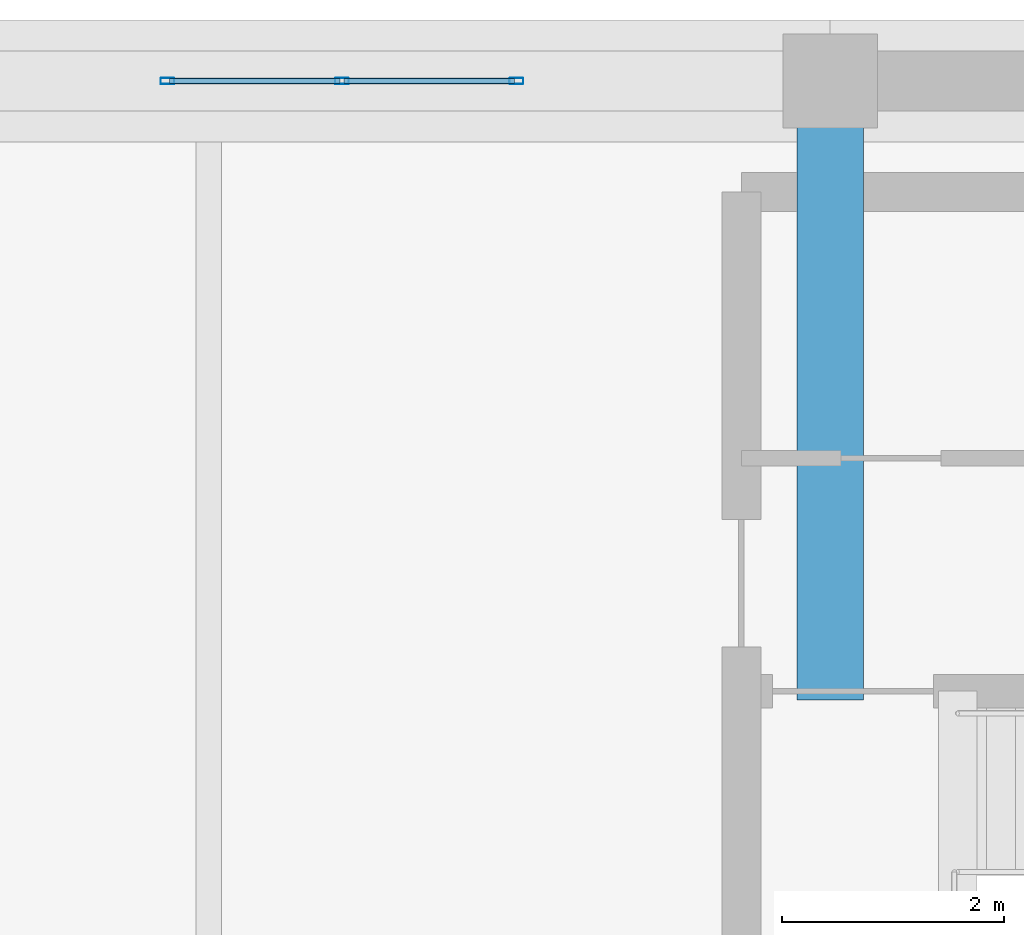
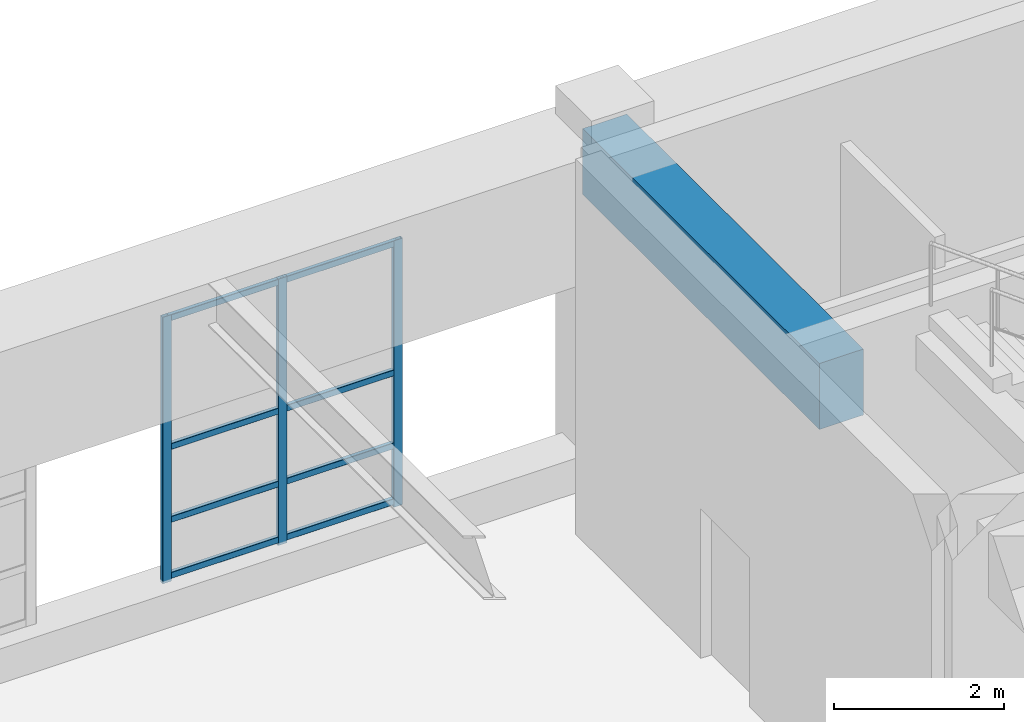
# One storey, part 145 of 197: 11 members, 1 beam, 1 element without a shape of its own.
"""IFC4 building model written with IfcOpenShell, lengths in metres."""

from ifc_helpers import new_model, si_unit, derived_unit, direction, frame, origin, origin_2d, place, context, subcontext, project, spatial, rectangle, hollow_rectangle, extrude, material, layer, layer_set, material_profile, profile_set, type_object, element, aggregate, save


model = new_model("IFC4")

# Units and contexts
model_context = context("Model", 3, precision=1e-05, world=origin(), true_north=direction((0.0, 1.0)))
body_context = subcontext(model_context, "Body", "Model", "MODEL_VIEW")
ifc_project = project(units=[si_unit("LENGTHUNIT", "METRE"), si_unit("AREAUNIT", "SQUARE_METRE"), si_unit("VOLUMEUNIT", "CUBIC_METRE"), si_unit("PLANEANGLEUNIT", "RADIAN"), si_unit("MASSUNIT", "GRAM", prefix="KILO"), derived_unit("THERMALTRANSMITTANCEUNIT", [(si_unit("POWERUNIT", "WATT"), 1), (si_unit("LENGTHUNIT", "METRE"), -2), (si_unit("THERMODYNAMICTEMPERATUREUNIT", "KELVIN"), -1)])], contexts=[model_context])

# Site, building, storey
site_placement = place(None, origin())
site = spatial("IfcSite", under=ifc_project, at=site_placement, CompositionType="ELEMENT")
building_placement = place(site_placement, origin())
building = spatial("IfcBuilding", under=site, at=building_placement, Name="Almenara Railside Exhibition Hall", CompositionType="ELEMENT")
storey_placement = place(building_placement, frame((0.0, 0.0, 5.39990234375)))
storey = spatial("IfcBuildingStorey", under=building, at=storey_placement, Name="L01", CompositionType="ELEMENT", Elevation=5.39990234375)

# Curtain wall, members
ifc_material_1 = material(Name="Bronze-anodised aluminium and low-E double glazing", Category="aluminium")
ifc_layer = layer(ifc_material_1, 0.179931640625, Name="Bronze-anodised aluminium and low-E double glazing")
ifc_layer_set = layer_set([ifc_layer], Name="Bronze-anodised aluminium and low-E double glazing")
curtain_wall_type = type_object("IfcCurtainWallType", Name="Scroll Gable Side Curtain Wall 3200x3800", PredefinedType="NOTDEFINED", material=ifc_layer_set)
curtain_wall_placement = place(storey_placement, origin())
curtain_wall = element("IfcCurtainWall", 1, at=curtain_wall_placement, inside=storey, type_object=curtain_wall_type, Name="Curtain wall CW-G4-043", PredefinedType="NOTDEFINED")
ifc_material_2 = material(Name="Bronze-anodised aluminium", Category="aluminium")
ifc_material_profile_1 = material_profile(ifc_material_2, hollow_rectangle(XDim=0.054931640625, YDim=0.125, WallThickness=0.0029296875, InnerFilletRadius=0.0029296875, OuterFilletRadius=0.006103515625, at=origin_2d()), Name="ALU-MUL 55x125x3")
ifc_profile_set_1 = profile_set([ifc_material_profile_1], Name="Bronze-anodised aluminium")
member_type_1 = type_object("IfcMemberType", Name="Curtain Wall Mullion 55x125x3", PredefinedType="MULLION", material=ifc_profile_set_1)
member_1_placement = place(storey_placement, frame((49.62744140625, 132.0, 0.465087890625), z_axis=(0.0, 0.0, 1.0), x_axis=(0.0, 1.0, 0.0)))
member_1 = element("IfcMember", 2, at=member_1_placement, type_object=member_type_1, Name="CW-G4-043 mullion 1", PredefinedType="MULLION", context=body_context, shape_type="SweptSolid", body=[
    extrude(hollow_rectangle(XDim=0.054931640625, YDim=0.125, WallThickness=0.0029296875, InnerFilletRadius=0.0029296875, OuterFilletRadius=0.006103515625, at=origin_2d()), origin(), (0.0, 0.0, 1.0), 3.8349609375),
])
member_2_placement = place(storey_placement, frame((51.199951171875, 132.0, 0.465087890625), z_axis=(0.0, 0.0, 1.0), x_axis=(0.0, 1.0, 0.0)))
member_2 = element("IfcMember", 3, at=member_2_placement, type_object=member_type_1, Name="CW-G4-043 mullion 2", PredefinedType="MULLION", context=body_context, shape_type="SweptSolid", body=[
    extrude(hollow_rectangle(XDim=0.054931640625, YDim=0.125, WallThickness=0.0029296875, InnerFilletRadius=0.0029296875, OuterFilletRadius=0.006103515625, at=origin_2d()), origin(), (0.0, 0.0, 1.0), 3.8349609375),
])
member_3_placement = place(storey_placement, frame((52.7724609375, 132.0, 0.465087890625), z_axis=(0.0, 0.0, 1.0), x_axis=(0.0, 1.0, 0.0)))
member_3 = element("IfcMember", 4, at=member_3_placement, type_object=member_type_1, Name="CW-G4-043 mullion 3", PredefinedType="MULLION", context=body_context, shape_type="SweptSolid", body=[
    extrude(hollow_rectangle(XDim=0.054931640625, YDim=0.125, WallThickness=0.0029296875, InnerFilletRadius=0.0029296875, OuterFilletRadius=0.006103515625, at=origin_2d()), origin(), (0.0, 0.0, 1.0), 3.8349609375),
])
ifc_material_profile_2 = material_profile(ifc_material_2, hollow_rectangle(XDim=0.054931640625, YDim=0.090087890625, WallThickness=0.0029296875, InnerFilletRadius=0.0029296875, OuterFilletRadius=0.006103515625, at=origin_2d()), Name="ALU-TRN 55x90x3")
ifc_profile_set_2 = profile_set([ifc_material_profile_2], Name="Bronze-anodised aluminium")
member_type_2 = type_object("IfcMemberType", Name="Curtain Wall Transom 55x90x3", PredefinedType="USERDEFINED", material=ifc_profile_set_2)
member_4_placement = place(storey_placement, frame((49.64697265625, 132.0, 0.545166015625), z_axis=(1.0, 0.0, 0.0), x_axis=(0.0, 1.0, 0.0)))
member_4 = element("IfcMember", 5, at=member_4_placement, type_object=member_type_2, Name="CW-G4-043 transom 1.1", ObjectType="TRANSOM", PredefinedType="USERDEFINED", context=body_context, shape_type="SweptSolid", body=[
    extrude(hollow_rectangle(XDim=0.054931640625, YDim=0.090087890625, WallThickness=0.0029296875, InnerFilletRadius=0.0029296875, OuterFilletRadius=0.006103515625, at=origin_2d()), origin(), (0.0, 0.0, 1.0), 1.533447265625),
])
member_5_placement = place(storey_placement, frame((49.64697265625, 132.0, 1.35009765625), z_axis=(1.0, 0.0, 0.0), x_axis=(0.0, 1.0, 0.0)))
member_5 = element("IfcMember", 6, at=member_5_placement, type_object=member_type_2, Name="CW-G4-043 transom 1.2", ObjectType="TRANSOM", PredefinedType="USERDEFINED", context=body_context, shape_type="SweptSolid", body=[
    extrude(hollow_rectangle(XDim=0.054931640625, YDim=0.090087890625, WallThickness=0.0029296875, InnerFilletRadius=0.0029296875, OuterFilletRadius=0.006103515625, at=origin_2d()), origin(), (0.0, 0.0, 1.0), 1.533447265625),
])
member_6_placement = place(storey_placement, frame((49.64697265625, 132.0, 2.400146484375), z_axis=(1.0, 0.0, 0.0), x_axis=(0.0, 1.0, 0.0)))
member_6 = element("IfcMember", 7, at=member_6_placement, type_object=member_type_2, Name="CW-G4-043 transom 1.3", ObjectType="TRANSOM", PredefinedType="USERDEFINED", context=body_context, shape_type="SweptSolid", body=[
    extrude(hollow_rectangle(XDim=0.054931640625, YDim=0.090087890625, WallThickness=0.0029296875, InnerFilletRadius=0.0029296875, OuterFilletRadius=0.006103515625, at=origin_2d()), origin(), (0.0, 0.0, 1.0), 1.533447265625),
])
member_7_placement = place(storey_placement, frame((49.64697265625, 132.0, 4.255126953125), z_axis=(1.0, 0.0, 0.0), x_axis=(0.0, 1.0, 0.0)))
member_7 = element("IfcMember", 8, at=member_7_placement, type_object=member_type_2, Name="CW-G4-043 transom 1.4", ObjectType="TRANSOM", PredefinedType="USERDEFINED", context=body_context, shape_type="SweptSolid", body=[
    extrude(hollow_rectangle(XDim=0.054931640625, YDim=0.090087890625, WallThickness=0.0029296875, InnerFilletRadius=0.0029296875, OuterFilletRadius=0.006103515625, at=origin_2d()), origin(), (0.0, 0.0, 1.0), 1.533447265625),
])
member_8_placement = place(storey_placement, frame((51.219482421875, 132.0, 0.545166015625), z_axis=(1.0, 0.0, 0.0), x_axis=(0.0, 1.0, 0.0)))
member_8 = element("IfcMember", 9, at=member_8_placement, type_object=member_type_2, Name="CW-G4-043 transom 2.1", ObjectType="TRANSOM", PredefinedType="USERDEFINED", context=body_context, shape_type="SweptSolid", body=[
    extrude(hollow_rectangle(XDim=0.054931640625, YDim=0.090087890625, WallThickness=0.0029296875, InnerFilletRadius=0.0029296875, OuterFilletRadius=0.006103515625, at=origin_2d()), origin(), (0.0, 0.0, 1.0), 1.533447265625),
])
member_9_placement = place(storey_placement, frame((51.219482421875, 132.0, 1.35009765625), z_axis=(1.0, 0.0, 0.0), x_axis=(0.0, 1.0, 0.0)))
member_9 = element("IfcMember", 10, at=member_9_placement, type_object=member_type_2, Name="CW-G4-043 transom 2.2", ObjectType="TRANSOM", PredefinedType="USERDEFINED", context=body_context, shape_type="SweptSolid", body=[
    extrude(hollow_rectangle(XDim=0.054931640625, YDim=0.090087890625, WallThickness=0.0029296875, InnerFilletRadius=0.0029296875, OuterFilletRadius=0.006103515625, at=origin_2d()), origin(), (0.0, 0.0, 1.0), 1.533447265625),
])
member_10_placement = place(storey_placement, frame((51.219482421875, 132.0, 2.400146484375), z_axis=(1.0, 0.0, 0.0), x_axis=(0.0, 1.0, 0.0)))
member_10 = element("IfcMember", 11, at=member_10_placement, type_object=member_type_2, Name="CW-G4-043 transom 2.3", ObjectType="TRANSOM", PredefinedType="USERDEFINED", context=body_context, shape_type="SweptSolid", body=[
    extrude(hollow_rectangle(XDim=0.054931640625, YDim=0.090087890625, WallThickness=0.0029296875, InnerFilletRadius=0.0029296875, OuterFilletRadius=0.006103515625, at=origin_2d()), origin(), (0.0, 0.0, 1.0), 1.533447265625),
])
member_11_placement = place(storey_placement, frame((51.219482421875, 132.0, 4.255126953125), z_axis=(1.0, 0.0, 0.0), x_axis=(0.0, 1.0, 0.0)))
member_11 = element("IfcMember", 12, at=member_11_placement, type_object=member_type_2, Name="CW-G4-043 transom 2.4", ObjectType="TRANSOM", PredefinedType="USERDEFINED", context=body_context, shape_type="SweptSolid", body=[
    extrude(hollow_rectangle(XDim=0.054931640625, YDim=0.090087890625, WallThickness=0.0029296875, InnerFilletRadius=0.0029296875, OuterFilletRadius=0.006103515625, at=origin_2d()), origin(), (0.0, 0.0, 1.0), 1.533447265625),
])
aggregate(curtain_wall, [member_1, member_2, member_3, member_4, member_5, member_6, member_7, member_8, member_9, member_10, member_11])

# Beam
ifc_material_3 = material(Name="Concrete C40/50", Category="concrete")
ifc_material_profile_3 = material_profile(ifc_material_3, rectangle(XDim=0.60009765625, YDim=0.949951171875, at=origin_2d()), Name="RC 600x950")
ifc_profile_set_3 = profile_set([ifc_material_profile_3], Name="Concrete C40/50")
beam_type = type_object("IfcBeamType", Name="RC Hall Edge Beam 600x950 C40/50", PredefinedType="BEAM", material=ifc_profile_set_3)
beam_placement = place(storey_placement, frame((55.60009765625, 126.419921875, 4.52099609375), z_axis=(0.0, 1.0, 0.0), x_axis=(-1.0, 0.0, 0.0)))
element("IfcBeam", 13, at=beam_placement, inside=storey, type_object=beam_type, Name="Beam 0657", PredefinedType="BEAM", context=body_context, shape_type="SweptSolid", body=[
    extrude(rectangle(XDim=0.60009765625, YDim=0.949951171875, at=origin_2d()), origin(), (0.0, 0.0, 1.0), 5.580078125),
])

save(model, "model.ifc")
